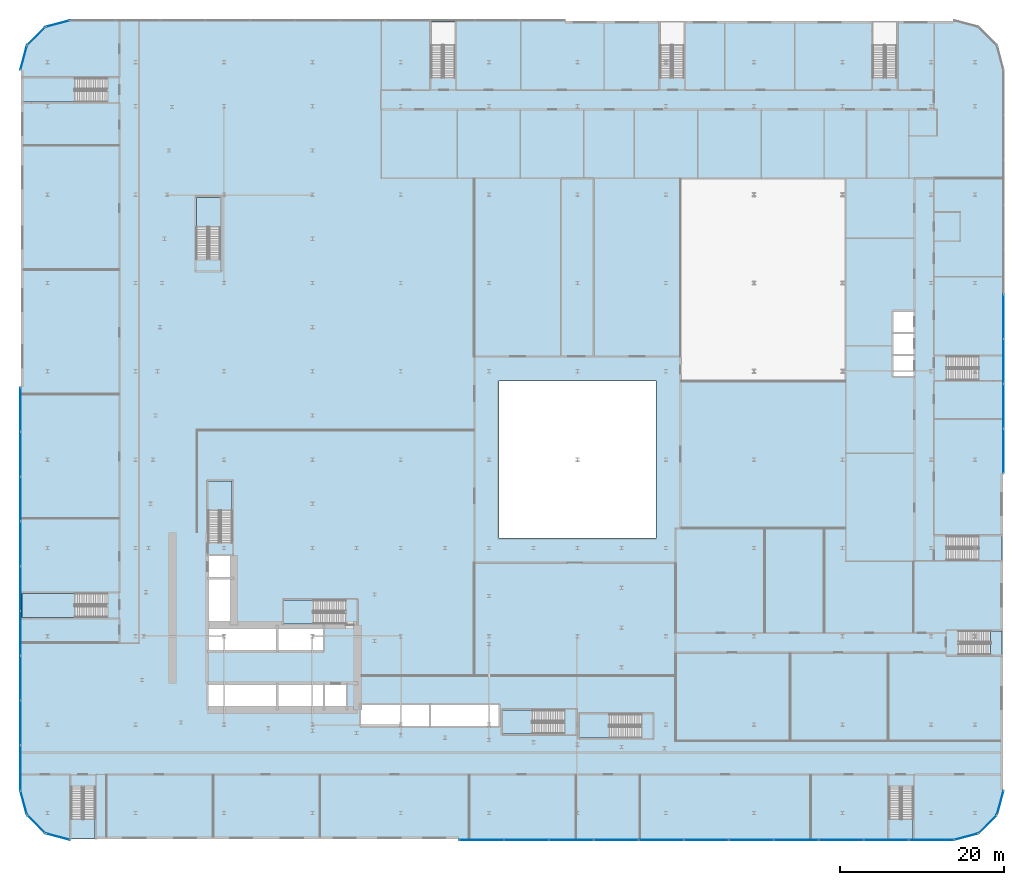
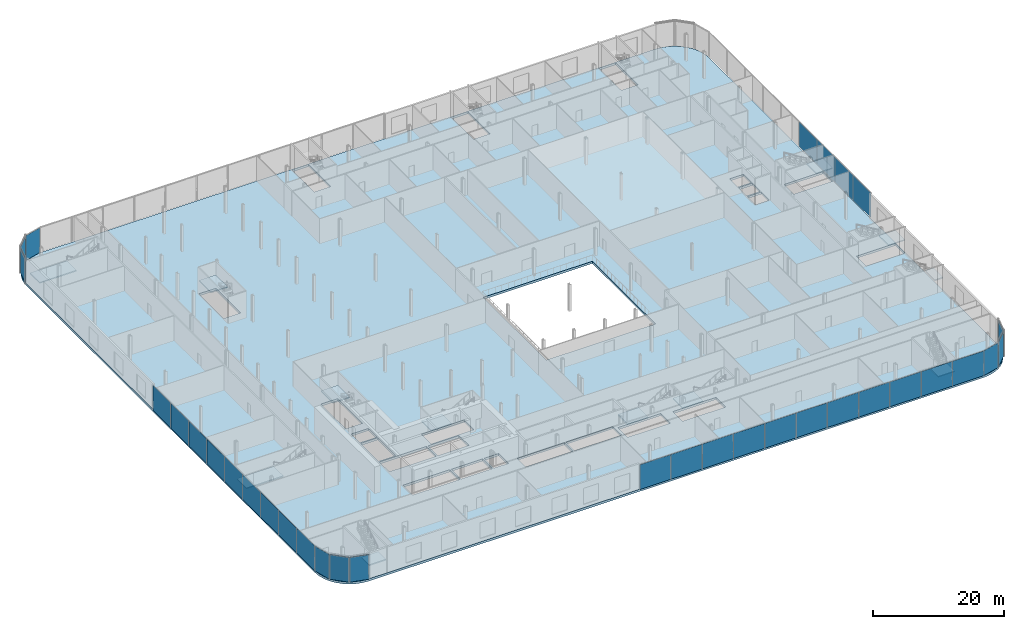
# One storey, part 23 of 47: 33 plates, 13 slabs, 24 elements without a shape of their own.
"""IFC4 building model written with IfcOpenShell, lengths in metres."""

from ifc_helpers import new_model, si_unit, direction, frame, origin, origin_2d, place, context, subcontext, project, spatial, polyline, rectangle, outline, extrude, material, layer, layer_set, type_object, element, aggregate, save


model = new_model("IFC4")

# Units and contexts
model_context = context("Model", 3, precision=1e-05, world=origin(), true_north=direction((0.0, 1.0)))
body_context = subcontext(model_context, "Body", "Model", "MODEL_VIEW")
ifc_project = project(units=[si_unit("LENGTHUNIT", "METRE"), si_unit("AREAUNIT", "SQUARE_METRE"), si_unit("VOLUMEUNIT", "CUBIC_METRE"), si_unit("PLANEANGLEUNIT", "RADIAN"), si_unit("MASSUNIT", "GRAM", prefix="KILO")], contexts=[model_context])

# Site, building, storey
site_placement = place(None, origin())
site = spatial("IfcSite", under=ifc_project, at=site_placement, CompositionType="ELEMENT")
building_placement = place(site_placement, origin())
building = spatial("IfcBuilding", under=site, at=building_placement, Name="Kheshtan School and Residences Tower", CompositionType="ELEMENT")
storey_placement = place(building_placement, frame((0.0, 0.0, 7.5)))
storey = spatial("IfcBuildingStorey", under=building, at=storey_placement, Name="L01", CompositionType="ELEMENT", Elevation=7.5)

# Curtain wall, plate
ifc_material_1 = material(Name="Clear low-e glass in thermally broken aluminium frame", Category="aluminium")
ifc_layer_1 = layer(ifc_material_1, 0.22509765625)
ifc_layer_set_1 = layer_set([ifc_layer_1], Name="Curtain wall CW-P")
curtain_wall_type = type_object("IfcCurtainWallType", Name="Curtain wall CW-P", PredefinedType="NOTDEFINED", material=ifc_layer_set_1)
curtain_wall_1_placement = place(storey_placement, origin())
curtain_wall_1 = element("IfcCurtainWall", 1, at=curtain_wall_1_placement, inside=storey, type_object=curtain_wall_type, Name="Curtain wall CWP1", PredefinedType="NOTDEFINED")
ifc_layer_2 = layer(ifc_material_1, 0.035888671875)
ifc_layer_set_2 = layer_set([ifc_layer_2], Name="CW-P glass panel")
plate_type = type_object("IfcPlateType", Name="CW-P glass panel", PredefinedType="CURTAIN_PANEL", material=ifc_layer_set_2)
plate_1_placement = place(storey_placement, frame((12.305419921875, 105.52587890625, 0.0), z_axis=(0.0, 0.0, 1.0), x_axis=(0.258864833085, 0.965913556273, 0.0)))
plate_1 = element("IfcPlate", 2, at=plate_1_placement, type_object=plate_type, Name="CWP1 panel 1.1", PredefinedType="CURTAIN_PANEL", context=body_context, shape_type="SweptSolid", body=[
    extrude(rectangle(XDim=2.98583984375, YDim=0.035888671875, at=origin_2d()), origin(), (0.0, 0.0, 1.0), 4.610107421875),
])
aggregate(curtain_wall_1, [plate_1])

curtain_wall_2_placement = place(storey_placement, origin())
curtain_wall_2 = element("IfcCurtainWall", 3, at=curtain_wall_2_placement, inside=storey, type_object=curtain_wall_type, Name="Curtain wall CWP2", PredefinedType="NOTDEFINED")
plate_2_placement = place(storey_placement, frame((13.831298828125, 108.168701171875, 0.0), z_axis=(0.0, 0.0, 1.0), x_axis=(0.707106781187, 0.707106781187, 0.0)))
plate_2 = element("IfcPlate", 4, at=plate_2_placement, type_object=plate_type, Name="CWP2 panel 1.1", PredefinedType="CURTAIN_PANEL", context=body_context, shape_type="SweptSolid", body=[
    extrude(rectangle(XDim=2.985595703125, YDim=0.035888671875, at=origin_2d()), origin(), (0.0, 0.0, 1.0), 4.610107421875),
])
aggregate(curtain_wall_2, [plate_2])

curtain_wall_3_placement = place(storey_placement, origin())
curtain_wall_3 = element("IfcCurtainWall", 5, at=curtain_wall_3_placement, inside=storey, type_object=curtain_wall_type, Name="Curtain wall CWP3", PredefinedType="NOTDEFINED")
plate_3_placement = place(storey_placement, frame((16.47412109375, 109.694580078125, 0.0), z_axis=(0.0, 0.0, 1.0), x_axis=(0.965913556273, 0.258864833085, 0.0)))
plate_3 = element("IfcPlate", 6, at=plate_3_placement, type_object=plate_type, Name="CWP3 panel 1.1", PredefinedType="CURTAIN_PANEL", context=body_context, shape_type="SweptSolid", body=[
    extrude(rectangle(XDim=2.98583984375, YDim=0.035888671875, at=origin_2d()), origin(), (0.0, 0.0, 1.0), 4.610107421875),
])
aggregate(curtain_wall_3, [plate_3])

# Curtain wall, plates
curtain_wall_4_placement = place(storey_placement, origin())
curtain_wall_4 = element("IfcCurtainWall", 7, at=curtain_wall_4_placement, inside=storey, type_object=curtain_wall_type, Name="Curtain wall CWP8", PredefinedType="NOTDEFINED")
plate_4_placement = place(storey_placement, frame((132.10009765625, 73.884521484375, 0.0), z_axis=(0.0, 0.0, 1.0), x_axis=(0.0, -1.0, 0.0)))
plate_4 = element("IfcPlate", 8, at=plate_4_placement, type_object=plate_type, Name="CWP8 panel 6.1", PredefinedType="CURTAIN_PANEL", context=body_context, shape_type="SweptSolid", body=[
    extrude(rectangle(XDim=5.41552734375, YDim=0.035888671875, at=origin_2d()), origin(), (0.0, 0.0, 1.0), 4.610107421875),
])
plate_5_placement = place(storey_placement, frame((132.10009765625, 68.408935546875, 0.0), z_axis=(0.0, 0.0, 1.0), x_axis=(0.0, -1.0, 0.0)))
plate_5 = element("IfcPlate", 9, at=plate_5_placement, type_object=plate_type, Name="CWP8 panel 7.1", PredefinedType="CURTAIN_PANEL", context=body_context, shape_type="SweptSolid", body=[
    extrude(rectangle(XDim=5.41552734375, YDim=0.035888671875, at=origin_2d()), origin(), (0.0, 0.0, 1.0), 4.610107421875),
])
plate_6_placement = place(storey_placement, frame((132.10009765625, 62.933349609375, 0.0), z_axis=(0.0, 0.0, 1.0), x_axis=(0.0, -1.0, 0.0)))
plate_6 = element("IfcPlate", 10, at=plate_6_placement, type_object=plate_type, Name="CWP8 panel 8.1", PredefinedType="CURTAIN_PANEL", context=body_context, shape_type="SweptSolid", body=[
    extrude(rectangle(XDim=5.41552734375, YDim=0.035888671875, at=origin_2d()), origin(), (0.0, 0.0, 1.0), 4.610107421875),
])
plate_7_placement = place(storey_placement, frame((132.10009765625, 57.47265625, 0.0), z_axis=(0.0, 0.0, 1.0), x_axis=(0.0, -1.0, 0.0)))
plate_7 = element("IfcPlate", 11, at=plate_7_placement, type_object=plate_type, Name="CWP8 panel 9.1", PredefinedType="CURTAIN_PANEL", context=body_context, shape_type="SweptSolid", body=[
    extrude(rectangle(XDim=5.385498046875, YDim=0.035888671875, at=origin_2d()), origin(), (0.0, 0.0, 1.0), 4.610107421875),
])
aggregate(curtain_wall_4, [plate_4, plate_5, plate_6, plate_7])

# Curtain wall, plate
curtain_wall_5_placement = place(storey_placement, origin())
curtain_wall_5 = element("IfcCurtainWall", 12, at=curtain_wall_5_placement, inside=storey, type_object=curtain_wall_type, Name="Curtain wall CWP9", PredefinedType="NOTDEFINED")
plate_8_placement = place(storey_placement, frame((131.694580078125, 14.47412109375, 0.0), z_axis=(0.0, 0.0, 1.0), x_axis=(-0.258864833085, -0.965913556273, 0.0)))
plate_8 = element("IfcPlate", 13, at=plate_8_placement, type_object=plate_type, Name="CWP9 panel 1.1", PredefinedType="CURTAIN_PANEL", context=body_context, shape_type="SweptSolid", body=[
    extrude(rectangle(XDim=2.98583984375, YDim=0.035888671875, at=origin_2d()), origin(), (0.0, 0.0, 1.0), 4.610107421875),
])
aggregate(curtain_wall_5, [plate_8])

curtain_wall_6_placement = place(storey_placement, origin())
curtain_wall_6 = element("IfcCurtainWall", 14, at=curtain_wall_6_placement, inside=storey, type_object=curtain_wall_type, Name="Curtain wall CWP10", PredefinedType="NOTDEFINED")
plate_9_placement = place(storey_placement, frame((130.168701171875, 11.831298828125, 0.0), z_axis=(0.0, 0.0, 1.0), x_axis=(-0.707106781187, -0.707106781187, 0.0)))
plate_9 = element("IfcPlate", 15, at=plate_9_placement, type_object=plate_type, Name="CWP10 panel 1.1", PredefinedType="CURTAIN_PANEL", context=body_context, shape_type="SweptSolid", body=[
    extrude(rectangle(XDim=2.985595703125, YDim=0.035888671875, at=origin_2d()), origin(), (0.0, 0.0, 1.0), 4.610107421875),
])
aggregate(curtain_wall_6, [plate_9])

curtain_wall_7_placement = place(storey_placement, origin())
curtain_wall_7 = element("IfcCurtainWall", 16, at=curtain_wall_7_placement, inside=storey, type_object=curtain_wall_type, Name="Curtain wall CWP11", PredefinedType="NOTDEFINED")
plate_10_placement = place(storey_placement, frame((127.52587890625, 10.305419921875, 0.0), z_axis=(0.0, 0.0, 1.0), x_axis=(-0.965913556273, -0.258864833085, 0.0)))
plate_10 = element("IfcPlate", 17, at=plate_10_placement, type_object=plate_type, Name="CWP11 panel 1.1", PredefinedType="CURTAIN_PANEL", context=body_context, shape_type="SweptSolid", body=[
    extrude(rectangle(XDim=2.98583984375, YDim=0.035888671875, at=origin_2d()), origin(), (0.0, 0.0, 1.0), 4.610107421875),
])
aggregate(curtain_wall_7, [plate_10])

# Curtain wall, plates
curtain_wall_8_placement = place(storey_placement, origin())
curtain_wall_8 = element("IfcCurtainWall", 18, at=curtain_wall_8_placement, inside=storey, type_object=curtain_wall_type, Name="Curtain wall CWP12", PredefinedType="NOTDEFINED")
plate_11_placement = place(storey_placement, frame((123.2783203125, 9.89990234375, 0.0), z_axis=(0.0, 0.0, 1.0), x_axis=(-1.0, 0.0, 0.0)))
plate_11 = element("IfcPlate", 19, at=plate_11_placement, type_object=plate_type, Name="CWP12 panel 1.1", PredefinedType="CURTAIN_PANEL", context=body_context, shape_type="SweptSolid", body=[
    extrude(rectangle(XDim=5.4931640625, YDim=0.035888671875, at=origin_2d()), origin(), (0.0, 0.0, 1.0), 4.610107421875),
])
plate_12_placement = place(storey_placement, frame((117.752685546875, 9.89990234375, 0.0), z_axis=(0.0, 0.0, 1.0), x_axis=(-1.0, 0.0, 0.0)))
plate_12 = element("IfcPlate", 20, at=plate_12_placement, type_object=plate_type, Name="CWP12 panel 2.1", PredefinedType="CURTAIN_PANEL", context=body_context, shape_type="SweptSolid", body=[
    extrude(rectangle(XDim=5.438232421875, YDim=0.035888671875, at=origin_2d()), origin(), (0.0, 0.0, 1.0), 4.610107421875),
])
plate_13_placement = place(storey_placement, frame((112.254638671875, 9.89990234375, 0.0), z_axis=(0.0, 0.0, 1.0), x_axis=(-1.0, 0.0, 0.0)))
plate_13 = element("IfcPlate", 21, at=plate_13_placement, type_object=plate_type, Name="CWP12 panel 3.1", PredefinedType="CURTAIN_PANEL", context=body_context, shape_type="SweptSolid", body=[
    extrude(rectangle(XDim=5.438232421875, YDim=0.035888671875, at=origin_2d()), origin(), (0.0, 0.0, 1.0), 4.610107421875),
])
plate_14_placement = place(storey_placement, frame((106.75634765625, 9.89990234375, 0.0), z_axis=(0.0, 0.0, 1.0), x_axis=(-1.0, 0.0, 0.0)))
plate_14 = element("IfcPlate", 22, at=plate_14_placement, type_object=plate_type, Name="CWP12 panel 4.1", PredefinedType="CURTAIN_PANEL", context=body_context, shape_type="SweptSolid", body=[
    extrude(rectangle(XDim=5.438232421875, YDim=0.035888671875, at=origin_2d()), origin(), (0.0, 0.0, 1.0), 4.610107421875),
])
plate_15_placement = place(storey_placement, frame((101.25830078125, 9.89990234375, 0.0), z_axis=(0.0, 0.0, 1.0), x_axis=(-1.0, 0.0, 0.0)))
plate_15 = element("IfcPlate", 23, at=plate_15_placement, type_object=plate_type, Name="CWP12 panel 5.1", PredefinedType="CURTAIN_PANEL", context=body_context, shape_type="SweptSolid", body=[
    extrude(rectangle(XDim=5.438232421875, YDim=0.035888671875, at=origin_2d()), origin(), (0.0, 0.0, 1.0), 4.610107421875),
])
plate_16_placement = place(storey_placement, frame((95.760009765625, 9.89990234375, 0.0), z_axis=(0.0, 0.0, 1.0), x_axis=(-1.0, 0.0, 0.0)))
plate_16 = element("IfcPlate", 24, at=plate_16_placement, type_object=plate_type, Name="CWP12 panel 6.1", PredefinedType="CURTAIN_PANEL", context=body_context, shape_type="SweptSolid", body=[
    extrude(rectangle(XDim=5.438232421875, YDim=0.035888671875, at=origin_2d()), origin(), (0.0, 0.0, 1.0), 4.610107421875),
])
plate_17_placement = place(storey_placement, frame((90.26171875, 9.89990234375, 0.0), z_axis=(0.0, 0.0, 1.0), x_axis=(-1.0, 0.0, 0.0)))
plate_17 = element("IfcPlate", 25, at=plate_17_placement, type_object=plate_type, Name="CWP12 panel 7.1", PredefinedType="CURTAIN_PANEL", context=body_context, shape_type="SweptSolid", body=[
    extrude(rectangle(XDim=5.438232421875, YDim=0.035888671875, at=origin_2d()), origin(), (0.0, 0.0, 1.0), 4.610107421875),
])
plate_18_placement = place(storey_placement, frame((84.763671875, 9.89990234375, 0.0), z_axis=(0.0, 0.0, 1.0), x_axis=(-1.0, 0.0, 0.0)))
plate_18 = element("IfcPlate", 26, at=plate_18_placement, type_object=plate_type, Name="CWP12 panel 8.1", PredefinedType="CURTAIN_PANEL", context=body_context, shape_type="SweptSolid", body=[
    extrude(rectangle(XDim=5.438232421875, YDim=0.035888671875, at=origin_2d()), origin(), (0.0, 0.0, 1.0), 4.610107421875),
])
plate_19_placement = place(storey_placement, frame((79.265380859375, 9.89990234375, 0.0), z_axis=(0.0, 0.0, 1.0), x_axis=(-1.0, 0.0, 0.0)))
plate_19 = element("IfcPlate", 27, at=plate_19_placement, type_object=plate_type, Name="CWP12 panel 9.1", PredefinedType="CURTAIN_PANEL", context=body_context, shape_type="SweptSolid", body=[
    extrude(rectangle(XDim=5.438232421875, YDim=0.035888671875, at=origin_2d()), origin(), (0.0, 0.0, 1.0), 4.610107421875),
])
plate_20_placement = place(storey_placement, frame((73.767333984375, 9.89990234375, 0.0), z_axis=(0.0, 0.0, 1.0), x_axis=(-1.0, 0.0, 0.0)))
plate_20 = element("IfcPlate", 28, at=plate_20_placement, type_object=plate_type, Name="CWP12 panel 10.1", PredefinedType="CURTAIN_PANEL", context=body_context, shape_type="SweptSolid", body=[
    extrude(rectangle(XDim=5.438232421875, YDim=0.035888671875, at=origin_2d()), origin(), (0.0, 0.0, 1.0), 4.610107421875),
])
plate_21_placement = place(storey_placement, frame((68.2841796875, 9.89990234375, 0.0), z_axis=(0.0, 0.0, 1.0), x_axis=(-1.0, 0.0, 0.0)))
plate_21 = element("IfcPlate", 29, at=plate_21_placement, type_object=plate_type, Name="CWP12 panel 11.1", PredefinedType="CURTAIN_PANEL", context=body_context, shape_type="SweptSolid", body=[
    extrude(rectangle(XDim=5.408203125, YDim=0.035888671875, at=origin_2d()), origin(), (0.0, 0.0, 1.0), 4.610107421875),
])
aggregate(curtain_wall_8, [plate_11, plate_12, plate_13, plate_14, plate_15, plate_16, plate_17, plate_18, plate_19, plate_20, plate_21])

# Curtain wall, plate
curtain_wall_9_placement = place(storey_placement, origin())
curtain_wall_9 = element("IfcCurtainWall", 30, at=curtain_wall_9_placement, inside=storey, type_object=curtain_wall_type, Name="Curtain wall CWP13", PredefinedType="NOTDEFINED")
plate_22_placement = place(storey_placement, frame((16.47412109375, 10.305419921875, 0.0), z_axis=(0.0, 0.0, 1.0), x_axis=(-0.965913556273, 0.258864833085, 0.0)))
plate_22 = element("IfcPlate", 31, at=plate_22_placement, type_object=plate_type, Name="CWP13 panel 1.1", PredefinedType="CURTAIN_PANEL", context=body_context, shape_type="SweptSolid", body=[
    extrude(rectangle(XDim=2.98583984375, YDim=0.035888671875, at=origin_2d()), origin(), (0.0, 0.0, 1.0), 4.610107421875),
])
aggregate(curtain_wall_9, [plate_22])

curtain_wall_10_placement = place(storey_placement, origin())
curtain_wall_10 = element("IfcCurtainWall", 32, at=curtain_wall_10_placement, inside=storey, type_object=curtain_wall_type, Name="Curtain wall CWP14", PredefinedType="NOTDEFINED")
plate_23_placement = place(storey_placement, frame((13.831298828125, 11.831298828125, 0.0), z_axis=(0.0, 0.0, 1.0), x_axis=(-0.707106781187, 0.707106781187, 0.0)))
plate_23 = element("IfcPlate", 33, at=plate_23_placement, type_object=plate_type, Name="CWP14 panel 1.1", PredefinedType="CURTAIN_PANEL", context=body_context, shape_type="SweptSolid", body=[
    extrude(rectangle(XDim=2.985595703125, YDim=0.035888671875, at=origin_2d()), origin(), (0.0, 0.0, 1.0), 4.610107421875),
])
aggregate(curtain_wall_10, [plate_23])

curtain_wall_11_placement = place(storey_placement, origin())
curtain_wall_11 = element("IfcCurtainWall", 34, at=curtain_wall_11_placement, inside=storey, type_object=curtain_wall_type, Name="Curtain wall CWP15", PredefinedType="NOTDEFINED")
plate_24_placement = place(storey_placement, frame((12.305419921875, 14.47412109375, 0.0), z_axis=(0.0, 0.0, 1.0), x_axis=(-0.258864833085, 0.965913556273, 0.0)))
plate_24 = element("IfcPlate", 35, at=plate_24_placement, type_object=plate_type, Name="CWP15 panel 1.1", PredefinedType="CURTAIN_PANEL", context=body_context, shape_type="SweptSolid", body=[
    extrude(rectangle(XDim=2.98583984375, YDim=0.035888671875, at=origin_2d()), origin(), (0.0, 0.0, 1.0), 4.610107421875),
])
aggregate(curtain_wall_11, [plate_24])

# Curtain wall, plates
curtain_wall_12_placement = place(storey_placement, origin())
curtain_wall_12 = element("IfcCurtainWall", 36, at=curtain_wall_12_placement, inside=storey, type_object=curtain_wall_type, Name="Curtain wall CWP16", PredefinedType="NOTDEFINED")
plate_25_placement = place(storey_placement, frame((11.89990234375, 18.71044921875, 0.0), z_axis=(0.0, 0.0, 1.0), x_axis=(0.0, 1.0, 0.0)))
plate_25 = element("IfcPlate", 37, at=plate_25_placement, type_object=plate_type, Name="CWP16 panel 1.1", PredefinedType="CURTAIN_PANEL", context=body_context, shape_type="SweptSolid", body=[
    extrude(rectangle(XDim=5.470458984375, YDim=0.035888671875, at=origin_2d()), origin(), (0.0, 0.0, 1.0), 4.610107421875),
])
plate_26_placement = place(storey_placement, frame((11.89990234375, 24.21337890625, 0.0), z_axis=(0.0, 0.0, 1.0), x_axis=(0.0, 1.0, 0.0)))
plate_26 = element("IfcPlate", 38, at=plate_26_placement, type_object=plate_type, Name="CWP16 panel 2.1", PredefinedType="CURTAIN_PANEL", context=body_context, shape_type="SweptSolid", body=[
    extrude(rectangle(XDim=5.41552734375, YDim=0.035888671875, at=origin_2d()), origin(), (0.0, 0.0, 1.0), 4.610107421875),
])
plate_27_placement = place(storey_placement, frame((11.89990234375, 29.68896484375, 0.0), z_axis=(0.0, 0.0, 1.0), x_axis=(0.0, 1.0, 0.0)))
plate_27 = element("IfcPlate", 39, at=plate_27_placement, type_object=plate_type, Name="CWP16 panel 3.1", PredefinedType="CURTAIN_PANEL", context=body_context, shape_type="SweptSolid", body=[
    extrude(rectangle(XDim=5.41552734375, YDim=0.035888671875, at=origin_2d()), origin(), (0.0, 0.0, 1.0), 4.610107421875),
])
plate_28_placement = place(storey_placement, frame((11.89990234375, 35.16455078125, 0.0), z_axis=(0.0, 0.0, 1.0), x_axis=(0.0, 1.0, 0.0)))
plate_28 = element("IfcPlate", 40, at=plate_28_placement, type_object=plate_type, Name="CWP16 panel 4.1", PredefinedType="CURTAIN_PANEL", context=body_context, shape_type="SweptSolid", body=[
    extrude(rectangle(XDim=5.41552734375, YDim=0.035888671875, at=origin_2d()), origin(), (0.0, 0.0, 1.0), 4.610107421875),
])
plate_29_placement = place(storey_placement, frame((11.89990234375, 40.639892578125, 0.0), z_axis=(0.0, 0.0, 1.0), x_axis=(0.0, 1.0, 0.0)))
plate_29 = element("IfcPlate", 41, at=plate_29_placement, type_object=plate_type, Name="CWP16 panel 5.1", PredefinedType="CURTAIN_PANEL", context=body_context, shape_type="SweptSolid", body=[
    extrude(rectangle(XDim=5.41552734375, YDim=0.035888671875, at=origin_2d()), origin(), (0.0, 0.0, 1.0), 4.610107421875),
])
plate_30_placement = place(storey_placement, frame((11.89990234375, 46.115478515625, 0.0), z_axis=(0.0, 0.0, 1.0), x_axis=(0.0, 1.0, 0.0)))
plate_30 = element("IfcPlate", 42, at=plate_30_placement, type_object=plate_type, Name="CWP16 panel 6.1", PredefinedType="CURTAIN_PANEL", context=body_context, shape_type="SweptSolid", body=[
    extrude(rectangle(XDim=5.41552734375, YDim=0.035888671875, at=origin_2d()), origin(), (0.0, 0.0, 1.0), 4.610107421875),
])
plate_31_placement = place(storey_placement, frame((11.89990234375, 51.591064453125, 0.0), z_axis=(0.0, 0.0, 1.0), x_axis=(0.0, 1.0, 0.0)))
plate_31 = element("IfcPlate", 43, at=plate_31_placement, type_object=plate_type, Name="CWP16 panel 7.1", PredefinedType="CURTAIN_PANEL", context=body_context, shape_type="SweptSolid", body=[
    extrude(rectangle(XDim=5.41552734375, YDim=0.035888671875, at=origin_2d()), origin(), (0.0, 0.0, 1.0), 4.610107421875),
])
plate_32_placement = place(storey_placement, frame((11.89990234375, 57.066650390625, 0.0), z_axis=(0.0, 0.0, 1.0), x_axis=(0.0, 1.0, 0.0)))
plate_32 = element("IfcPlate", 44, at=plate_32_placement, type_object=plate_type, Name="CWP16 panel 8.1", PredefinedType="CURTAIN_PANEL", context=body_context, shape_type="SweptSolid", body=[
    extrude(rectangle(XDim=5.41552734375, YDim=0.035888671875, at=origin_2d()), origin(), (0.0, 0.0, 1.0), 4.610107421875),
])
plate_33_placement = place(storey_placement, frame((11.89990234375, 62.52734375, 0.0), z_axis=(0.0, 0.0, 1.0), x_axis=(0.0, 1.0, 0.0)))
plate_33 = element("IfcPlate", 45, at=plate_33_placement, type_object=plate_type, Name="CWP16 panel 9.1", PredefinedType="CURTAIN_PANEL", context=body_context, shape_type="SweptSolid", body=[
    extrude(rectangle(XDim=5.385498046875, YDim=0.035888671875, at=origin_2d()), origin(), (0.0, 0.0, 1.0), 4.610107421875),
])
aggregate(curtain_wall_12, [plate_25, plate_26, plate_27, plate_28, plate_29, plate_30, plate_31, plate_32, plate_33])

# Slab
ifc_material_2 = material(Name="Concrete C40/50", Category="concrete")
ifc_layer_3 = layer(ifc_material_2, 0.419921875)
ifc_layer_set_3 = layer_set([ifc_layer_3], Name="Floor slab 420 Concrete C40/50")
slab_type_1 = type_object("IfcSlabType", Name="Floor slab 420 Concrete C40/50", PredefinedType="FLOOR", material=ifc_layer_set_3)
slab_1_placement = place(storey_placement, frame((0.0, 0.0, -0.419921875)))
element("IfcSlab", 46, at=slab_1_placement, inside=storey, type_object=slab_type_1, Name="Floor slab L01", PredefinedType="FLOOR", context=body_context, shape_type="SweptSolid", body=[
    extrude(outline(polyline([(127.0419921875, 109.908935546875), (128.052001953125, 109.637939453125), (129.0, 109.196044921875), (129.85693359375, 108.595947265625), (130.595947265625, 107.85693359375), (131.196044921875, 107.0), (131.637939453125, 106.052001953125), (131.908935546875, 105.0419921875), (132.0, 104.0), (132.0, 16.0), (131.908935546875, 14.9580078125), (131.637939453125, 13.947998046875), (131.196044921875, 13.0), (130.595947265625, 12.14306640625), (129.85693359375, 11.404052734375), (129.0, 10.803955078125), (128.052001953125, 10.362060546875), (127.0419921875, 10.091064453125), (126.0, 10.0), (18.0, 10.0), (16.9580078125, 10.091064453125), (15.947998046875, 10.362060546875), (15.0, 10.803955078125), (14.14306640625, 11.404052734375), (13.404052734375, 12.14306640625), (12.803955078125, 13.0), (12.362060546875, 13.947998046875), (12.091064453125, 14.9580078125), (12.0, 16.0), (12.0, 104.0), (12.091064453125, 105.0419921875), (12.362060546875, 106.052001953125), (12.803955078125, 107.0), (13.404052734375, 107.85693359375), (14.14306640625, 108.595947265625), (15.0, 109.196044921875), (15.947998046875, 109.637939453125), (16.9580078125, 109.908935546875), (18.0, 110.0), (126.0, 110.0), (127.0419921875, 109.908935546875)]), holes=[polyline([(53.52490234375, 26.425048828125), (53.52490234375, 23.824951171875), (61.824951171875, 23.824951171875), (61.824951171875, 26.425048828125), (53.52490234375, 26.425048828125)]), polyline([(34.875, 28.925048828125), (34.875, 25.925048828125), (43.175048828125, 25.925048828125), (43.175048828125, 28.925048828125), (34.875, 28.925048828125)]), polyline([(48.875, 25.925048828125), (48.875, 28.925048828125), (43.425048828125, 28.925048828125), (43.425048828125, 25.925048828125), (48.875, 25.925048828125)]), polyline([(49.125, 28.925048828125), (49.125, 25.925048828125), (51.72509765625, 25.925048828125), (51.72509765625, 28.925048828125), (49.125, 28.925048828125)]), polyline([(43.175048828125, 36.074951171875), (34.875, 36.074951171875), (34.875, 33.074951171875), (43.175048828125, 33.074951171875), (43.175048828125, 36.074951171875)]), polyline([(48.875, 33.074951171875), (48.875, 36.074951171875), (43.425048828125, 36.074951171875), (43.425048828125, 33.074951171875), (48.875, 33.074951171875)]), polyline([(51.639892578125, 37.699951171875), (51.64990234375, 37.699951171875), (51.64990234375, 39.25), (44.090087890625, 39.25), (44.090087890625, 36.300048828125), (51.639892578125, 36.300048828125), (51.639892578125, 37.699951171875)]), polyline([(34.875, 41.77490234375), (34.875, 36.324951171875), (37.875, 36.324951171875), (37.875, 41.77490234375), (34.875, 41.77490234375)]), polyline([(34.875, 42.02490234375), (37.875, 42.02490234375), (37.875, 44.625), (34.875, 44.625), (34.875, 42.02490234375)]), polyline([(36.25, 46.260009765625), (36.25, 46.25), (37.800048828125, 46.25), (37.800048828125, 53.81005859375), (34.85009765625, 53.81005859375), (34.85009765625, 46.260009765625), (36.25, 46.260009765625)]), polyline([(34.800048828125, 80.909912109375), (34.800048828125, 80.89990234375), (36.35009765625, 80.89990234375), (36.35009765625, 88.4599609375), (33.39990234375, 88.4599609375), (33.39990234375, 80.909912109375), (34.800048828125, 80.909912109375)]), polyline([(65.050048828125, 109.89990234375), (62.10009765625, 109.89990234375), (62.10009765625, 103.110107421875), (63.5, 103.110107421875), (63.5, 103.10009765625), (65.050048828125, 103.10009765625), (65.050048828125, 109.89990234375)]), polyline([(87.820068359375, 25.300048828125), (80.260009765625, 25.300048828125), (80.260009765625, 22.35009765625), (87.81005859375, 22.35009765625), (87.81005859375, 23.75), (87.820068359375, 23.75), (87.820068359375, 25.300048828125)]), polyline([(78.409912109375, 25.800048828125), (70.85009765625, 25.800048828125), (70.85009765625, 22.85009765625), (78.39990234375, 22.85009765625), (78.39990234375, 24.25), (78.409912109375, 24.25), (78.409912109375, 25.800048828125)]), polyline([(70.375, 23.824951171875), (70.375, 26.425048828125), (62.074951171875, 26.425048828125), (62.074951171875, 23.824951171875), (70.375, 23.824951171875)]), polyline([(131.89990234375, 47.050048828125), (125.110107421875, 47.050048828125), (125.110107421875, 45.64990234375), (125.10009765625, 45.64990234375), (125.10009765625, 44.10009765625), (131.89990234375, 44.10009765625), (131.89990234375, 47.050048828125)]), polyline([(70.39990234375, 66.0), (70.39990234375, 46.800048828125), (89.60009765625, 46.800048828125), (89.60009765625, 66.0), (70.39990234375, 66.0)]), polyline([(125.110107421875, 69.050048828125), (125.110107421875, 67.64990234375), (125.10009765625, 67.64990234375), (125.10009765625, 66.10009765625), (131.89990234375, 66.10009765625), (131.89990234375, 69.050048828125), (125.110107421875, 69.050048828125)]), polyline([(118.625, 69.074951171875), (118.625, 66.625), (121.074951171875, 66.625), (121.074951171875, 69.074951171875), (118.625, 69.074951171875)]), polyline([(118.625, 71.77490234375), (118.625, 69.324951171875), (121.074951171875, 69.324951171875), (121.074951171875, 71.77490234375), (118.625, 71.77490234375)]), polyline([(118.625, 72.02490234375), (121.074951171875, 72.02490234375), (121.074951171875, 74.47509765625), (118.625, 74.47509765625), (118.625, 72.02490234375)]), polyline([(93.050048828125, 103.10009765625), (93.050048828125, 109.89990234375), (90.10009765625, 109.89990234375), (90.10009765625, 103.110107421875), (91.5, 103.110107421875), (91.5, 103.10009765625), (93.050048828125, 103.10009765625)]), polyline([(116.10009765625, 109.89990234375), (116.10009765625, 103.110107421875), (117.5, 103.110107421875), (117.5, 103.10009765625), (119.050048828125, 103.10009765625), (119.050048828125, 109.89990234375), (116.10009765625, 109.89990234375)])]), origin(), (0.0, 0.0, 1.0), 0.419921875),
])

# Stair, slab
stair_type = type_object("IfcStairType", Name="Exit stair, half-turn", PredefinedType="HALF_TURN_STAIR", material=ifc_material_2)
stair_1_placement = place(storey_placement, origin())
stair_1 = element("IfcStair", 47, at=stair_1_placement, inside=storey, type_object=stair_type, Name="L01 Protected Exit Stair ST1", PredefinedType="HALF_TURN_STAIR")
ifc_layer_4 = layer(ifc_material_2, 0.199951171875)
ifc_layer_set_4 = layer_set([ifc_layer_4], Name="Stair landing 200 Concrete C40/50")
slab_type_2 = type_object("IfcSlabType", Name="Stair landing 200 Concrete C40/50", PredefinedType="LANDING", material=ifc_layer_set_4)
slab_2_placement = place(storey_placement, frame((0.0, 0.0, 2.300048828125)))
slab_2 = element("IfcSlab", 48, at=slab_2_placement, type_object=slab_type_2, Name="ST1 landing 1", PredefinedType="LANDING", context=body_context, shape_type="SweptSolid", body=[
    extrude(outline(polyline([(47.72998046875, 39.25), (44.090087890625, 39.25), (44.090087890625, 36.300048828125), (47.72998046875, 36.300048828125), (47.72998046875, 39.25)])), origin(), (0.0, 0.0, 1.0), 0.199951171875),
])
aggregate(stair_1, [slab_2])

stair_2_placement = place(storey_placement, origin())
stair_2 = element("IfcStair", 49, at=stair_2_placement, inside=storey, type_object=stair_type, Name="L01 Protected Exit Stair ST2", PredefinedType="HALF_TURN_STAIR")
slab_3_placement = place(storey_placement, frame((0.0, 0.0, 2.300048828125)))
slab_3 = element("IfcSlab", 50, at=slab_3_placement, type_object=slab_type_2, Name="ST2 landing 1", PredefinedType="LANDING", context=body_context, shape_type="SweptSolid", body=[
    extrude(outline(polyline([(37.800048828125, 50.169921875), (37.800048828125, 53.81005859375), (34.85009765625, 53.81005859375), (34.85009765625, 50.169921875), (37.800048828125, 50.169921875)])), origin(), (0.0, 0.0, 1.0), 0.199951171875),
])
aggregate(stair_2, [slab_3])

stair_3_placement = place(storey_placement, origin())
stair_3 = element("IfcStair", 51, at=stair_3_placement, inside=storey, type_object=stair_type, Name="L01 Protected Exit Stair ST3", PredefinedType="HALF_TURN_STAIR")
slab_4_placement = place(storey_placement, frame((0.0, 0.0, 2.300048828125)))
slab_4 = element("IfcSlab", 52, at=slab_4_placement, type_object=slab_type_2, Name="ST3 landing 1", PredefinedType="LANDING", context=body_context, shape_type="SweptSolid", body=[
    extrude(outline(polyline([(36.35009765625, 84.820068359375), (36.35009765625, 88.4599609375), (33.39990234375, 88.4599609375), (33.39990234375, 84.820068359375), (36.35009765625, 84.820068359375)])), origin(), (0.0, 0.0, 1.0), 0.199951171875),
])
aggregate(stair_3, [slab_4])

stair_4_placement = place(storey_placement, origin())
stair_4 = element("IfcStair", 53, at=stair_4_placement, inside=storey, type_object=stair_type, Name="L01 Protected Exit Stair ST4", PredefinedType="HALF_TURN_STAIR")
slab_5_placement = place(storey_placement, frame((0.0, 0.0, 2.300048828125)))
slab_5 = element("IfcSlab", 54, at=slab_5_placement, type_object=slab_type_2, Name="ST4 landing 1", PredefinedType="LANDING", context=body_context, shape_type="SweptSolid", body=[
    extrude(outline(polyline([(83.89990234375, 25.300048828125), (80.260009765625, 25.300048828125), (80.260009765625, 22.35009765625), (83.89990234375, 22.35009765625), (83.89990234375, 25.300048828125)])), origin(), (0.0, 0.0, 1.0), 0.199951171875),
])
aggregate(stair_4, [slab_5])

stair_5_placement = place(storey_placement, origin())
stair_5 = element("IfcStair", 55, at=stair_5_placement, inside=storey, type_object=stair_type, Name="L01 Protected Exit Stair ST5", PredefinedType="HALF_TURN_STAIR")
slab_6_placement = place(storey_placement, frame((0.0, 0.0, 2.300048828125)))
slab_6 = element("IfcSlab", 56, at=slab_6_placement, type_object=slab_type_2, Name="ST5 landing 1", PredefinedType="LANDING", context=body_context, shape_type="SweptSolid", body=[
    extrude(outline(polyline([(74.489990234375, 25.800048828125), (70.85009765625, 25.800048828125), (70.85009765625, 22.85009765625), (74.489990234375, 22.85009765625), (74.489990234375, 25.800048828125)])), origin(), (0.0, 0.0, 1.0), 0.199951171875),
])
aggregate(stair_5, [slab_6])

stair_6_placement = place(storey_placement, origin())
stair_6 = element("IfcStair", 57, at=stair_6_placement, inside=storey, type_object=stair_type, Name="L01 Civic Exit Stair 012-037", PredefinedType="HALF_TURN_STAIR")
slab_7_placement = place(storey_placement, frame((0.0, 0.0, 2.300048828125)))
slab_7 = element("IfcSlab", 58, at=slab_7_placement, type_object=slab_type_2, Name="PS-012-037 landing 1", PredefinedType="LANDING", context=body_context, shape_type="SweptSolid", body=[
    extrude(outline(polyline([(18.580078125, 40.050048828125), (12.10009765625, 40.050048828125), (12.10009765625, 37.10009765625), (18.580078125, 37.10009765625), (18.580078125, 40.050048828125)])), origin(), (0.0, 0.0, 1.0), 0.199951171875),
])
aggregate(stair_6, [slab_7])

stair_7_placement = place(storey_placement, origin())
stair_7 = element("IfcStair", 59, at=stair_7_placement, inside=storey, type_object=stair_type, Name="L01 Civic Exit Stair 012-100", PredefinedType="HALF_TURN_STAIR")
slab_8_placement = place(storey_placement, frame((0.0, 0.0, 2.300048828125)))
slab_8 = element("IfcSlab", 60, at=slab_8_placement, type_object=slab_type_2, Name="PS-012-100 landing 1", PredefinedType="LANDING", context=body_context, shape_type="SweptSolid", body=[
    extrude(outline(polyline([(18.580078125, 103.050048828125), (12.10009765625, 103.050048828125), (12.10009765625, 100.10009765625), (18.580078125, 100.10009765625), (18.580078125, 103.050048828125)])), origin(), (0.0, 0.0, 1.0), 0.199951171875),
])
aggregate(stair_7, [slab_8])

stair_8_placement = place(storey_placement, origin())
stair_8 = element("IfcStair", 61, at=stair_8_placement, inside=storey, type_object=stair_type, Name="L01 Civic Exit Stair 018-010", PredefinedType="HALF_TURN_STAIR")
slab_9_placement = place(storey_placement, frame((0.0, 0.0, 2.300048828125)))
slab_9 = element("IfcSlab", 62, at=slab_9_placement, type_object=slab_type_2, Name="PS-018-010 landing 1", PredefinedType="LANDING", context=body_context, shape_type="SweptSolid", body=[
    extrude(outline(polyline([(18.10009765625, 12.47998046875), (18.10009765625, 10.10009765625), (21.050048828125, 10.10009765625), (21.050048828125, 12.47998046875), (18.10009765625, 12.47998046875)])), origin(), (0.0, 0.0, 1.0), 0.199951171875),
])
aggregate(stair_8, [slab_9])

stair_9_placement = place(storey_placement, origin())
stair_9 = element("IfcStair", 63, at=stair_9_placement, inside=storey, type_object=stair_type, Name="L01 Civic Exit Stair 118-010", PredefinedType="HALF_TURN_STAIR")
slab_10_placement = place(storey_placement, frame((0.0, 0.0, 2.300048828125)))
slab_10 = element("IfcSlab", 64, at=slab_10_placement, type_object=slab_type_2, Name="PS-118-010 landing 1", PredefinedType="LANDING", context=body_context, shape_type="SweptSolid", body=[
    extrude(outline(polyline([(118.10009765625, 12.47998046875), (118.10009765625, 10.10009765625), (121.050048828125, 10.10009765625), (121.050048828125, 12.47998046875), (118.10009765625, 12.47998046875)])), origin(), (0.0, 0.0, 1.0), 0.199951171875),
])
aggregate(stair_9, [slab_10])

stair_10_placement = place(storey_placement, origin())
stair_10 = element("IfcStair", 65, at=stair_10_placement, inside=storey, type_object=stair_type, Name="L01 School Exit Stair 124-044", PredefinedType="HALF_TURN_STAIR")
slab_11_placement = place(storey_placement, frame((0.0, 0.0, 2.300048828125)))
slab_11 = element("IfcSlab", 66, at=slab_11_placement, type_object=slab_type_2, Name="PS-124-044 landing 1", PredefinedType="LANDING", context=body_context, shape_type="SweptSolid", body=[
    extrude(outline(polyline([(129.02001953125, 44.10009765625), (131.89990234375, 44.10009765625), (131.89990234375, 47.050048828125), (129.02001953125, 47.050048828125), (129.02001953125, 44.10009765625)])), origin(), (0.0, 0.0, 1.0), 0.199951171875),
])
aggregate(stair_10, [slab_11])

stair_11_placement = place(storey_placement, origin())
stair_11 = element("IfcStair", 67, at=stair_11_placement, inside=storey, type_object=stair_type, Name="L01 School Exit Stair 124-066", PredefinedType="HALF_TURN_STAIR")
slab_12_placement = place(storey_placement, frame((0.0, 0.0, 2.300048828125)))
slab_12 = element("IfcSlab", 68, at=slab_12_placement, type_object=slab_type_2, Name="PS-124-066 landing 1", PredefinedType="LANDING", context=body_context, shape_type="SweptSolid", body=[
    extrude(outline(polyline([(129.02001953125, 66.10009765625), (131.89990234375, 66.10009765625), (131.89990234375, 69.050048828125), (129.02001953125, 69.050048828125), (129.02001953125, 66.10009765625)])), origin(), (0.0, 0.0, 1.0), 0.199951171875),
])
aggregate(stair_11, [slab_12])

stair_12_placement = place(storey_placement, origin())
stair_12 = element("IfcStair", 69, at=stair_12_placement, inside=storey, type_object=stair_type, Name="L01 Civic Exit Stair 125-032", PredefinedType="HALF_TURN_STAIR")
slab_13_placement = place(storey_placement, frame((0.0, 0.0, 2.300048828125)))
slab_13 = element("IfcSlab", 70, at=slab_13_placement, type_object=slab_type_2, Name="PS-125-032 landing 1", PredefinedType="LANDING", context=body_context, shape_type="SweptSolid", body=[
    extrude(outline(polyline([(130.5, 32.52490234375), (131.89990234375, 32.52490234375), (131.89990234375, 35.47509765625), (130.5, 35.47509765625), (130.5, 32.52490234375)])), origin(), (0.0, 0.0, 1.0), 0.199951171875),
])
aggregate(stair_12, [slab_13])

save(model, "model.ifc")
